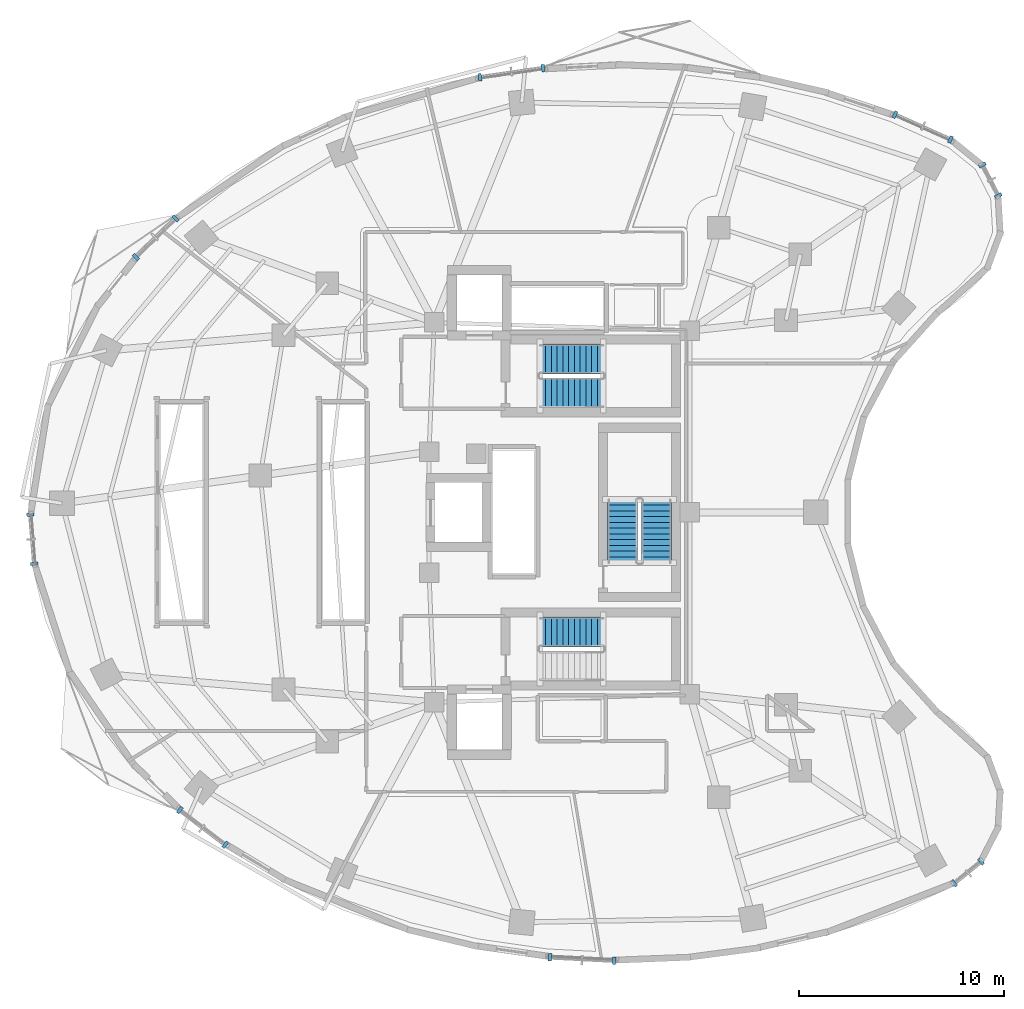
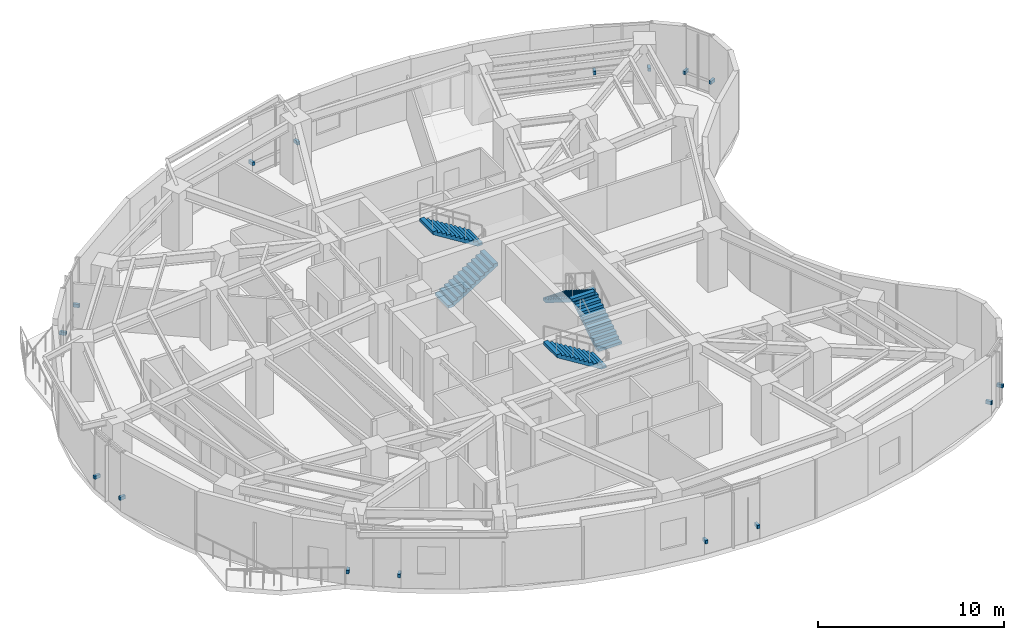
# One storey, part 11 of 14: 16 discrete accessories, 5 stair flights, 3 elements without a shape of their own.
"""IFC4 building model written with IfcOpenShell, lengths in metres."""

from ifc_helpers import new_model, si_unit, direction, frame, origin, origin_2d, place, context, subcontext, project, spatial, polyline, rectangle, outline, extrude, material, type_object, element, aggregate, save


model = new_model("IFC4")

# Units and contexts
model_context = context("Model", 3, precision=1e-05, world=origin(), true_north=direction((0.0, 1.0)))
body_context = subcontext(model_context, "Body", "Model", "MODEL_VIEW")
ifc_project = project(units=[si_unit("LENGTHUNIT", "METRE"), si_unit("AREAUNIT", "SQUARE_METRE"), si_unit("VOLUMEUNIT", "CUBIC_METRE"), si_unit("PLANEANGLEUNIT", "RADIAN"), si_unit("MASSUNIT", "GRAM", prefix="KILO")], contexts=[model_context])

# Site, building, storey
site_placement = place(None, origin())
site = spatial("IfcSite", under=ifc_project, at=site_placement, CompositionType="ELEMENT")
building_placement = place(site_placement, origin())
building = spatial("IfcBuilding", under=site, at=building_placement, Name="Korentha Bioscience Tower", CompositionType="ELEMENT")
storey_placement = place(building_placement, frame((0.0, 0.0, 132.0)))
storey = spatial("IfcBuildingStorey", under=building, at=storey_placement, Name="L30", CompositionType="ELEMENT", Elevation=132.0)

# Stair, stair flights
ifc_material_1 = material(Name="Precast Concrete C50", Category="concrete")
stair_type = type_object("IfcStairType", Name="Core Exit Dog-Leg Stair 1450", PredefinedType="HALF_TURN_STAIR", material=ifc_material_1)
stair_1_placement = place(storey_placement, origin())
stair_1 = element("IfcStair", 1, at=stair_1_placement, inside=storey, type_object=stair_type, Name="L30 Tower North Pressurized Exit Stair ST-1", PredefinedType="HALF_TURN_STAIR")
stair_flight_type = type_object("IfcStairFlightType", Name="Core Exit Dog-Leg Stair 1450 Flight", PredefinedType="STRAIGHT", material=ifc_material_1)
stair_flight_1_placement = place(storey_placement, frame((30.25, 32.824951171875, 0.0), z_axis=(0.0, 0.0, 1.0), x_axis=(1.0, 0.0, 0.0)))
stair_flight_1 = element("IfcStairFlight", 2, at=stair_flight_1_placement, type_object=stair_flight_type, Name="ST-1 flight 1", NumberOfRisers=12, NumberOfTreads=11, PredefinedType="STRAIGHT", RiserHeight=0.175, TreadLength=0.28, context=body_context, shape_type="SweptSolid", body=[
    extrude(outline(polyline([(0.0, 0.0), (0.0, 0.175048828125), (0.280029296875, 0.175048828125), (0.280029296875, 0.35009765625), (0.56005859375, 0.35009765625), (0.56005859375, 0.52490234375), (0.840087890625, 0.52490234375), (0.840087890625, 0.699951171875), (1.1201171875, 0.699951171875), (1.1201171875, 0.875), (1.39990234375, 0.875), (1.39990234375, 1.050048828125), (1.679931640625, 1.050048828125), (1.679931640625, 1.22509765625), (1.9599609375, 1.22509765625), (1.9599609375, 1.39990234375), (2.239990234375, 1.39990234375), (2.239990234375, 1.574951171875), (2.52001953125, 1.574951171875), (2.52001953125, 1.75), (2.800048828125, 1.75), (2.800048828125, 1.925048828125), (3.080078125, 1.925048828125), (3.080078125, 2.10009765625), (3.080078125, 1.736328125), (0.3017578125, 0.0), (0.0, 0.0)])), frame((0.0, 0.72509765625, 0.0), z_axis=(0.0, -1.0, 0.0), x_axis=(1.0, 0.0, 0.0)), (0.0, 0.0, 1.0), 1.449951171875),
])
stair_flight_2_placement = place(storey_placement, frame((33.330078125, 34.47509765625, 2.10009765625), z_axis=(0.0, 0.0, 1.0), x_axis=(-1.0, 0.0, 0.0)))
stair_flight_2 = element("IfcStairFlight", 3, at=stair_flight_2_placement, type_object=stair_flight_type, Name="ST-1 flight 2", NumberOfRisers=12, NumberOfTreads=11, PredefinedType="STRAIGHT", RiserHeight=0.175, TreadLength=0.28, context=body_context, shape_type="SweptSolid", body=[
    extrude(outline(polyline([(0.0, 0.0), (0.0, 0.175048828125), (0.280029296875, 0.175048828125), (0.280029296875, 0.35009765625), (0.56005859375, 0.35009765625), (0.56005859375, 0.52490234375), (0.840087890625, 0.52490234375), (0.840087890625, 0.699951171875), (1.1201171875, 0.699951171875), (1.1201171875, 0.875), (1.39990234375, 0.875), (1.39990234375, 1.050048828125), (1.679931640625, 1.050048828125), (1.679931640625, 1.22509765625), (1.9599609375, 1.22509765625), (1.9599609375, 1.39990234375), (2.239990234375, 1.39990234375), (2.239990234375, 1.574951171875), (2.52001953125, 1.574951171875), (2.52001953125, 1.75), (2.800048828125, 1.75), (2.800048828125, 1.925048828125), (3.080078125, 1.925048828125), (3.080078125, 2.10009765625), (3.080078125, 1.736328125), (0.3017578125, 0.0), (0.0, 0.0)])), frame((0.0, 0.72509765625, 0.0), z_axis=(0.0, -1.0, 0.0), x_axis=(1.0, 0.0, 0.0)), (0.0, 0.0, 1.0), 1.449951171875),
])
aggregate(stair_1, [stair_flight_1, stair_flight_2])

# Stair, stair flight
stair_2_placement = place(storey_placement, origin())
stair_2 = element("IfcStair", 4, at=stair_2_placement, inside=storey, type_object=stair_type, Name="L30 Tower South Pressurized Exit Stair ST-2", PredefinedType="HALF_TURN_STAIR")
stair_flight_3_placement = place(storey_placement, frame((33.330078125, 21.175048828125, 2.10009765625), z_axis=(0.0, 0.0, 1.0), x_axis=(-1.0, 0.0, 0.0)))
stair_flight_3 = element("IfcStairFlight", 5, at=stair_flight_3_placement, type_object=stair_flight_type, Name="ST-2 flight 2", NumberOfRisers=12, NumberOfTreads=11, PredefinedType="STRAIGHT", RiserHeight=0.175, TreadLength=0.28, context=body_context, shape_type="SweptSolid", body=[
    extrude(outline(polyline([(0.0, 0.0), (0.0, 0.175048828125), (0.280029296875, 0.175048828125), (0.280029296875, 0.35009765625), (0.56005859375, 0.35009765625), (0.56005859375, 0.52490234375), (0.840087890625, 0.52490234375), (0.840087890625, 0.699951171875), (1.1201171875, 0.699951171875), (1.1201171875, 0.875), (1.39990234375, 0.875), (1.39990234375, 1.050048828125), (1.679931640625, 1.050048828125), (1.679931640625, 1.22509765625), (1.9599609375, 1.22509765625), (1.9599609375, 1.39990234375), (2.239990234375, 1.39990234375), (2.239990234375, 1.574951171875), (2.52001953125, 1.574951171875), (2.52001953125, 1.75), (2.800048828125, 1.75), (2.800048828125, 1.925048828125), (3.080078125, 1.925048828125), (3.080078125, 2.10009765625), (3.080078125, 1.736328125), (0.3017578125, 0.0), (0.0, 0.0)])), frame((0.0, 0.72509765625, 0.0), z_axis=(0.0, -1.0, 0.0), x_axis=(1.0, 0.0, 0.0)), (0.0, 0.0, 1.0), 1.449951171875),
])
aggregate(stair_2, [stair_flight_3])

# Stair, stair flights
stair_3_placement = place(storey_placement, origin())
stair_3 = element("IfcStair", 6, at=stair_3_placement, inside=storey, type_object=stair_type, Name="L30 Tower Central Pressurized Exit Stair ST-3", PredefinedType="HALF_TURN_STAIR")
stair_flight_4_placement = place(storey_placement, frame((35.925048828125, 24.550048828125, 0.0), z_axis=(0.0, 0.0, 1.0), x_axis=(0.0, 1.0, 0.0)))
stair_flight_4 = element("IfcStairFlight", 7, at=stair_flight_4_placement, type_object=stair_flight_type, Name="ST-3 flight 1", NumberOfRisers=12, NumberOfTreads=11, PredefinedType="STRAIGHT", RiserHeight=0.175, TreadLength=0.28, context=body_context, shape_type="SweptSolid", body=[
    extrude(outline(polyline([(0.0, 0.0), (0.0, 0.175048828125), (0.280029296875, 0.175048828125), (0.280029296875, 0.35009765625), (0.56005859375, 0.35009765625), (0.56005859375, 0.52490234375), (0.840087890625, 0.52490234375), (0.840087890625, 0.699951171875), (1.1201171875, 0.699951171875), (1.1201171875, 0.875), (1.39990234375, 0.875), (1.39990234375, 1.050048828125), (1.679931640625, 1.050048828125), (1.679931640625, 1.22509765625), (1.9599609375, 1.22509765625), (1.9599609375, 1.39990234375), (2.239990234375, 1.39990234375), (2.239990234375, 1.574951171875), (2.52001953125, 1.574951171875), (2.52001953125, 1.75), (2.800048828125, 1.75), (2.800048828125, 1.925048828125), (3.080078125, 1.925048828125), (3.080078125, 2.10009765625), (3.080078125, 1.736328125), (0.3017578125, 0.0), (0.0, 0.0)])), frame((0.0, 0.72509765625, 0.0), z_axis=(0.0, -1.0, 0.0), x_axis=(1.0, 0.0, 0.0)), (0.0, 0.0, 1.0), 1.449951171875),
])
stair_flight_5_placement = place(storey_placement, frame((34.27490234375, 27.6298828125, 2.10009765625), z_axis=(0.0, 0.0, 1.0), x_axis=(0.0, -1.0, 0.0)))
stair_flight_5 = element("IfcStairFlight", 8, at=stair_flight_5_placement, type_object=stair_flight_type, Name="ST-3 flight 2", NumberOfRisers=12, NumberOfTreads=11, PredefinedType="STRAIGHT", RiserHeight=0.175, TreadLength=0.28, context=body_context, shape_type="SweptSolid", body=[
    extrude(outline(polyline([(0.0, 0.0), (0.0, 0.175048828125), (0.280029296875, 0.175048828125), (0.280029296875, 0.35009765625), (0.56005859375, 0.35009765625), (0.56005859375, 0.52490234375), (0.840087890625, 0.52490234375), (0.840087890625, 0.699951171875), (1.1201171875, 0.699951171875), (1.1201171875, 0.875), (1.39990234375, 0.875), (1.39990234375, 1.050048828125), (1.679931640625, 1.050048828125), (1.679931640625, 1.22509765625), (1.9599609375, 1.22509765625), (1.9599609375, 1.39990234375), (2.239990234375, 1.39990234375), (2.239990234375, 1.574951171875), (2.52001953125, 1.574951171875), (2.52001953125, 1.75), (2.800048828125, 1.75), (2.800048828125, 1.925048828125), (3.080078125, 1.925048828125), (3.080078125, 2.10009765625), (3.080078125, 1.736328125), (0.3017578125, 0.0), (0.0, 0.0)])), frame((0.0, 0.72509765625, 0.0), z_axis=(0.0, -1.0, 0.0), x_axis=(1.0, 0.0, 0.0)), (0.0, 0.0, 1.0), 1.449951171875),
])
aggregate(stair_3, [stair_flight_4, stair_flight_5])

# Discrete accessories
ifc_material_2 = material(Name="Stainless Steel 316", Category="steel")
discrete_accessory_type = type_object("IfcDiscreteAccessoryType", Name="Stainless Steel Solar-Screen Outrigger Bracket", PredefinedType="BRACKET", material=ifc_material_2)
for number, where, z_axis, x_axis, name in (
    (9, (50.241455078125, 45.161376953125, 0.740234375), (0.0, 0.0, 1.0), (-0.912686563127, 0.408660295952, 0.0), "CW-L30-01 Solar-Screen Support Bracket 1"),
    (10, (47.542236328125, 46.3701171875, 0.740234375), (0.0, 0.0, 1.0), (-0.912686563127, 0.408660295952, 0.0), "CW-L30-01 Solar-Screen Support Bracket 2"),
    (11, (30.40380859375, 48.635009765625, 0.740234375), (0.0, 0.0, 1.0), (-0.989738282326, -0.14289203091, 0.0), "CW-L30-07 Solar-Screen Support Bracket 1"),
    (12, (27.328369140625, 48.19091796875, 0.740234375), (0.0, 0.0, 1.0), (-0.989738282326, -0.14289203091, 0.0), "CW-L30-07 Solar-Screen Support Bracket 2"),
    (13, (12.496826171875, 41.316162109375, 0.740234375), (0.0, 0.0, 1.0), (-0.716095631804, -0.698002182025, 0.0), "CW-L30-13 Solar-Screen Support Bracket 1"),
    (14, (10.5673828125, 39.435302734375, 0.740234375), (0.0, 0.0, 1.0), (-0.716095631804, -0.698002182025, 0.0), "CW-L30-13 Solar-Screen Support Bracket 2"),
    (15, (5.433349609375, 26.885986328125, 0.740234375), (0.0, 0.0, 1.0), (0.079130214674, -0.996864288219, 0.0), "CW-L30-19 Solar-Screen Support Bracket 1"),
    (16, (5.622802734375, 24.4990234375, 0.740234375), (0.0, 0.0, 1.0), (0.079130214674, -0.996864288219, 0.0), "CW-L30-19 Solar-Screen Support Bracket 2"),
    (17, (12.708740234375, 12.501220703125, 0.740234375), (0.0, 0.0, 1.0), (0.794499603893, -0.607264669986, 0.0), "CW-L30-25 Solar-Screen Support Bracket 1"),
    (18, (14.920166015625, 10.810791015625, 0.740234375), (0.0, 0.0, 1.0), (0.794499603893, -0.607264669986, 0.0), "CW-L30-25 Solar-Screen Support Bracket 2"),
    (19, (30.737060546875, 5.33251953125, 0.740234375), (0.0, 0.0, 1.0), (0.998673231344, -0.051495407527, 0.0), "CW-L30-31 Solar-Screen Support Bracket 1"),
    (20, (33.860107421875, 5.17138671875, 0.740234375), (0.0, 0.0, 1.0), (0.998673231344, -0.051495407527, 0.0), "CW-L30-31 Solar-Screen Support Bracket 2"),
    (21, (50.423095703125, 8.93701171875, 0.740234375), (0.0, 0.0, 1.0), (0.777315301098, 0.629111216463, 0.0), "CW-L30-37 Solar-Screen Support Bracket 1"),
    (22, (51.734619140625, 9.998779296875, 0.740234375), (0.0, 0.0, 1.0), (0.777315301098, 0.629111216463, 0.0), "CW-L30-37 Solar-Screen Support Bracket 2"),
    (23, (52.571044921875, 42.42236328125, 0.740234375), (0.0, 0.0, 1.0), (-0.457613117169, 0.889151412862, 0.0), "CW-L30-61 Solar-Screen Support Bracket 1"),
    (24, (51.798828125, 43.922607421875, 0.740234375), (0.0, 0.0, 1.0), (-0.457613117169, 0.889151412862, 0.0), "CW-L30-61 Solar-Screen Support Bracket 2"),
):
    element("IfcDiscreteAccessory", number, at=place(storey_placement, frame(where, z_axis=z_axis, x_axis=x_axis)), inside=storey, type_object=discrete_accessory_type, Name=name, PredefinedType="BRACKET", context=body_context, shape_type="SweptSolid", body=[
        extrude(rectangle(XDim=0.159912109375, YDim=0.360107421875, at=origin_2d()), origin(), (0.0, 0.0, 1.0), 0.219970703125),
    ])

save(model, "model.ifc")
